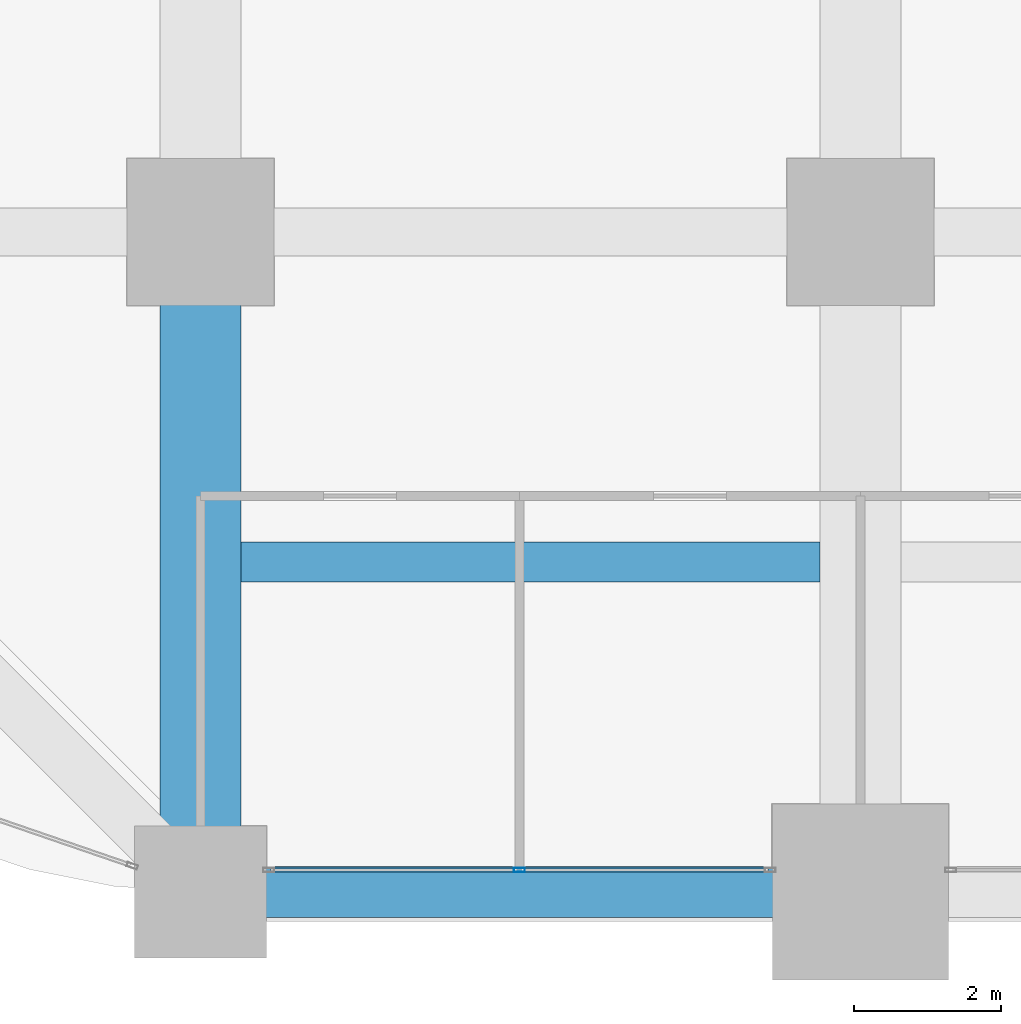
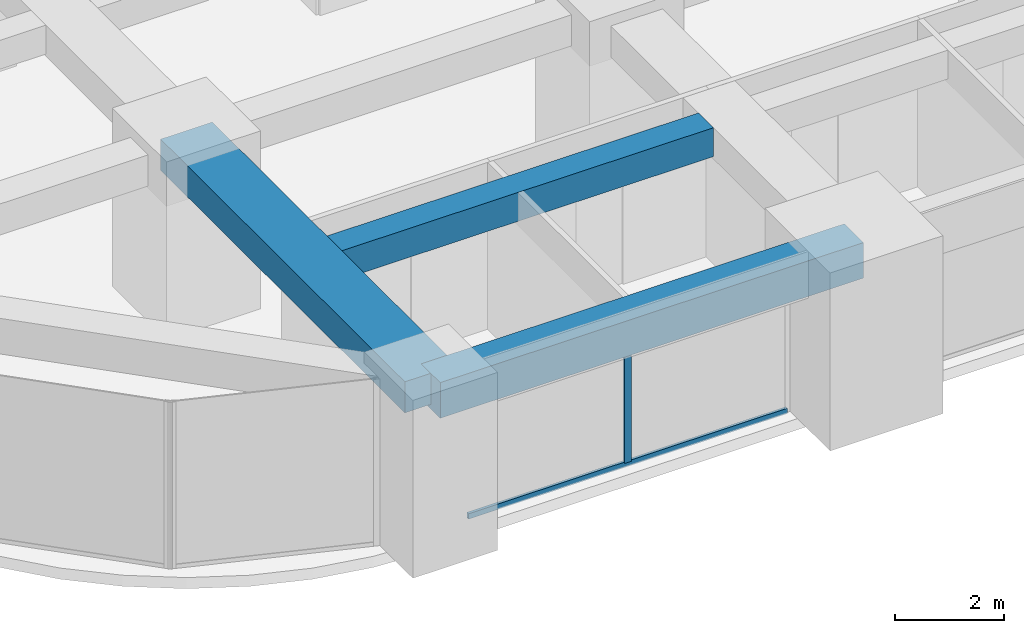
# One storey, part 3 of 41: 3 beams, 2 members, 1 element without a shape of its own.
"""IFC4 building model written with IfcOpenShell, lengths in metres."""

from ifc_helpers import new_model, si_unit, direction, frame, origin, origin_2d, place, context, subcontext, project, spatial, rectangle, hollow_rectangle, extrude, material, material_profile, profile_set, type_object, element, aggregate, save


model = new_model("IFC4")

# Units and contexts
model_context = context("Model", 3, precision=1e-05, world=origin(), true_north=direction((0.0, 1.0)))
body_context = subcontext(model_context, "Body", "Model", "MODEL_VIEW")
ifc_project = project(units=[si_unit("LENGTHUNIT", "METRE"), si_unit("AREAUNIT", "SQUARE_METRE"), si_unit("VOLUMEUNIT", "CUBIC_METRE"), si_unit("PLANEANGLEUNIT", "RADIAN"), si_unit("MASSUNIT", "GRAM", prefix="KILO")], contexts=[model_context])

# Site, building, storey
site_placement = place(None, origin())
site = spatial("IfcSite", under=ifc_project, at=site_placement, CompositionType="ELEMENT")
building_placement = place(site_placement, origin())
building = spatial("IfcBuilding", under=site, at=building_placement, Name="Zorevar Civic Tower", CompositionType="ELEMENT")
storey_placement = place(building_placement, frame((0.0, 0.0, 97.0)))
storey = spatial("IfcBuildingStorey", under=building, at=storey_placement, Name="L23", CompositionType="ELEMENT", Elevation=97.0)

# Beams
ifc_material_1 = material(Name="Concrete C50/60", Category="concrete")
ifc_material_profile_1 = material_profile(ifc_material_1, rectangle(XDim=1.10009765625, YDim=0.699951171875, at=origin_2d()), Name="RC 1100x700")
ifc_profile_set_1 = profile_set([ifc_material_profile_1], Name="Concrete C50/60")
beam_type_1 = type_object("IfcBeamType", Name="Beam RC 1100x700", PredefinedType="BEAM", material=ifc_profile_set_1)
beam_1_placement = place(storey_placement, frame((9.0, 0.0, 3.39990234375), z_axis=(0.0, 1.0, 0.0), x_axis=(-1.0, 0.0, 0.0)))
element("IfcBeam", 1, at=beam_1_placement, inside=storey, type_object=beam_type_1, Name="Girder L24", PredefinedType="BEAM", context=body_context, shape_type="SweptSolid", body=[
    extrude(rectangle(XDim=1.10009765625, YDim=0.699951171875, at=origin_2d()), origin(), (0.0, 0.0, 1.0), 9.0),
])
ifc_material_2 = material(Name="Concrete C50/60", Category="concrete")
ifc_material_profile_2 = material_profile(ifc_material_2, rectangle(XDim=0.550048828125, YDim=0.64990234375, at=origin_2d()), Name="RC 550x650")
ifc_profile_set_2 = profile_set([ifc_material_profile_2], Name="Concrete C50/60")
beam_type_2 = type_object("IfcBeamType", Name="Beam RC 550x650", PredefinedType="BEAM", material=ifc_profile_set_2)
beam_2_placement = place(storey_placement, frame((9.550048828125, 4.5, 3.425048828125), z_axis=(1.0, 0.0, 0.0), x_axis=(0.0, 1.0, 0.0)))
element("IfcBeam", 2, at=beam_2_placement, inside=storey, type_object=beam_type_2, Name="Secondary beam L24", PredefinedType="BEAM", context=body_context, shape_type="SweptSolid", body=[
    extrude(rectangle(XDim=0.550048828125, YDim=0.64990234375, at=origin_2d()), origin(), (0.0, 0.0, 1.0), 7.89990234375),
])

# Curtain wall, members
ifc_material_3 = material(Name="Dark grey solar-control glass in black aluminium frame", Category="aluminium")
curtain_wall_type = type_object("IfcCurtainWallType", Name="Curtain wall CW3 mid zone", PredefinedType="NOTDEFINED", material=ifc_material_3)
curtain_wall_placement = place(storey_placement, origin())
curtain_wall = element("IfcCurtainWall", 3, at=curtain_wall_placement, inside=storey, type_object=curtain_wall_type, Name="CW3 L23", PredefinedType="NOTDEFINED")
ifc_material_4 = material(Name="Aluminium, black anodised", Category="aluminium")
ifc_material_profile_3 = material_profile(ifc_material_4, hollow_rectangle(XDim=0.06005859375, YDim=0.14990234375, WallThickness=0.00390625, at=origin_2d()), Name="AL 150x60x4")
ifc_profile_set_3 = profile_set([ifc_material_profile_3], Name="Aluminium, black anodised")
member_type_1 = type_object("IfcMemberType", Name="CW3 mullion AL 150x60x4", PredefinedType="MULLION", material=ifc_profile_set_3)
member_1_placement = place(storey_placement, frame((13.35009765625, 0.300048828125, 0.06005859375), z_axis=(0.0, 0.0, 1.0), x_axis=(0.0, 1.0, 0.0)))
member_1 = element("IfcMember", 4, at=member_1_placement, type_object=member_type_1, Name="CW3 mullion 2", PredefinedType="MULLION", context=body_context, shape_type="SweptSolid", body=[
    extrude(hollow_rectangle(XDim=0.06005859375, YDim=0.14990234375, WallThickness=0.00390625, at=origin_2d()), origin(), (0.0, 0.0, 1.0), 2.889892578125),
])
ifc_material_5 = material(Name="Aluminium, black anodised", Category="aluminium")
ifc_material_profile_4 = material_profile(ifc_material_5, hollow_rectangle(XDim=0.06005859375, YDim=0.1201171875, WallThickness=0.0029296875, at=origin_2d()), Name="AL 120x60x3")
ifc_profile_set_4 = profile_set([ifc_material_profile_4], Name="Aluminium, black anodised")
member_type_2 = type_object("IfcMemberType", Name="CW3 transom AL 120x60x3", PredefinedType="USERDEFINED", material=ifc_profile_set_4)
member_2_placement = place(storey_placement, frame((9.9599609375, 0.300048828125, 0.030029296875), z_axis=(1.0, 0.0, 0.0), x_axis=(0.0, 1.0, 0.0)))
member_2 = element("IfcMember", 5, at=member_2_placement, type_object=member_type_2, Name="CW3 sill transom", ObjectType="TRANSOM", PredefinedType="USERDEFINED", context=body_context, shape_type="SweptSolid", body=[
    extrude(hollow_rectangle(XDim=0.06005859375, YDim=0.1201171875, WallThickness=0.0029296875, at=origin_2d()), origin(), (0.0, 0.0, 1.0), 6.780029296875),
])
aggregate(curtain_wall, [member_1, member_2])

# Beam
ifc_material_6 = material(Name="Concrete C50/60", Category="concrete")
ifc_material_profile_5 = material_profile(ifc_material_6, rectangle(XDim=0.699951171875, YDim=0.800048828125, at=origin_2d()), Name="RC 700x800")
ifc_profile_set_5 = profile_set([ifc_material_profile_5], Name="Concrete C50/60")
beam_type_3 = type_object("IfcBeamType", Name="Edge beam RC 700x800", PredefinedType="SPANDREL", material=ifc_profile_set_5)
beam_3_placement = place(storey_placement, frame((9.0, 0.0, 3.35009765625), z_axis=(1.0, 0.0, 0.0), x_axis=(0.0, 1.0, 0.0)))
element("IfcBeam", 6, at=beam_3_placement, inside=storey, type_object=beam_type_3, Name="Edge beam L24", PredefinedType="SPANDREL", context=body_context, shape_type="SweptSolid", body=[
    extrude(rectangle(XDim=0.699951171875, YDim=0.800048828125, at=origin_2d()), origin(), (0.0, 0.0, 1.0), 9.0),
])

save(model, "model.ifc")
